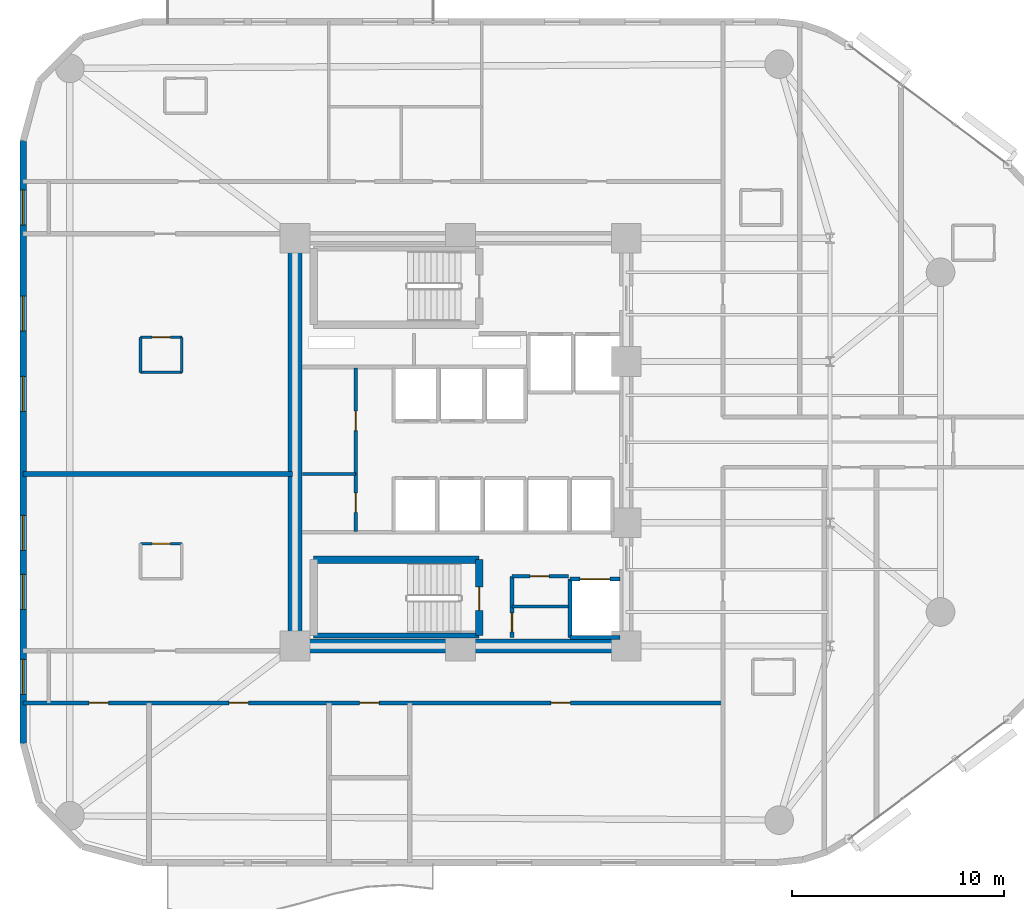
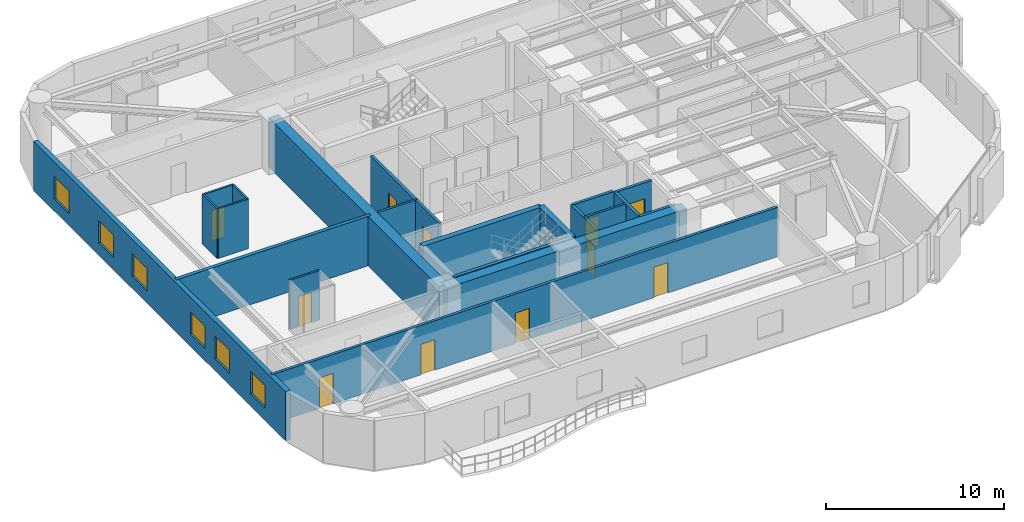
# One storey, part 8 of 14: 22 walls, 12 doors, 6 windows, 18 openings.
"""IFC4 building model written with IfcOpenShell, lengths in metres."""

from ifc_helpers import new_model, si_unit, direction, frame, frame_2d, origin, place, context, subcontext, project, spatial, rectangle, extrude, material, layer, layer_set, type_object, element, fill, save


model = new_model("IFC4")

# Units and contexts
model_context = context("Model", 3, precision=1e-05, world=origin(), true_north=direction((0.0, 1.0)))
body_context = subcontext(model_context, "Body", "Model", "MODEL_VIEW")
ifc_project = project(units=[si_unit("LENGTHUNIT", "METRE"), si_unit("AREAUNIT", "SQUARE_METRE"), si_unit("VOLUMEUNIT", "CUBIC_METRE"), si_unit("PLANEANGLEUNIT", "RADIAN"), si_unit("MASSUNIT", "GRAM", prefix="KILO")], contexts=[model_context])

# Site, building, storey
site_placement = place(None, origin())
site = spatial("IfcSite", under=ifc_project, at=site_placement, CompositionType="ELEMENT")
building_placement = place(site_placement, origin())
building = spatial("IfcBuilding", under=site, at=building_placement, Name="An Khanh Terracotta Commons", CompositionType="ELEMENT")
storey_placement = place(building_placement, frame((0.0, 0.0, 93.5)))
storey = spatial("IfcBuildingStorey", under=building, at=storey_placement, Name="L24", CompositionType="ELEMENT", Elevation=93.5)

# Walls
ifc_material_1 = material(Name="Concrete C60/75", Category="concrete")
ifc_layer_1 = layer(ifc_material_1, 0.64990234375, Name="Concrete C60/75")
ifc_layer_set_1 = layer_set([ifc_layer_1], Name="Concrete C60/75")
wall_type_1 = type_object("IfcWallType", Name="WALL-CORE-650", PredefinedType="SHEAR", material=ifc_layer_set_1)
wall_1_placement = place(storey_placement, frame((21.60009765625, 14.39990234375, 0.0), z_axis=(0.0, 0.0, 1.0), x_axis=(0.0, 1.0, 0.0)))
element("IfcWall", 1, at=wall_1_placement, inside=storey, type_object=wall_type_1, Name="L24 Core Wall CWALL-L24-W", PredefinedType="SHEAR", context=body_context, shape_type="SweptSolid", body=[
    extrude(rectangle(XDim=19.2001953125, YDim=0.64990234375, at=frame_2d((9.60009765625, 0.0))), origin(), (0.0, 0.0, 1.0), 3.39990234375),
])
wall_2_placement = place(storey_placement, frame((37.199951171875, 14.39990234375, 0.0), z_axis=(0.0, 0.0, 1.0), x_axis=(-1.0, 0.0, 0.0)))
element("IfcWall", 2, at=wall_2_placement, inside=storey, type_object=wall_type_1, Name="L24 Core Wall CWALL-L24-S", PredefinedType="SHEAR", context=body_context, shape_type="SweptSolid", body=[
    extrude(rectangle(XDim=15.599853515625, YDim=0.64990234375, at=frame_2d((7.7998046875, 0.0))), origin(), (0.0, 0.0, 1.0), 3.39990234375),
])

# Wall, opening, door
ifc_material_2 = material(Name="Fire-Rated Gypsum Board on Steel Stud", Category="steel")
ifc_layer_2 = layer(ifc_material_2, 0.179931640625, Name="Fire-Rated Gypsum Board on Steel Stud")
ifc_layer_set_2 = layer_set([ifc_layer_2], Name="Fire-Rated Gypsum Board on Steel Stud")
wall_type_2 = type_object("IfcWallType", Name="WALL-CORR-180", PredefinedType="PARTITIONING", material=ifc_layer_set_2)
wall_3_placement = place(storey_placement, frame((31.820068359375, 17.679931640625, 0.0), z_axis=(0.0, 0.0, 1.0), x_axis=(1.0, 0.0, 0.0)))
wall_3 = element("IfcWall", 3, at=wall_3_placement, inside=storey, type_object=wall_type_2, Name="L24 Core Wall SSVCW-L24-N", PredefinedType="PARTITIONING", context=body_context, shape_type="SweptSolid", body=[
    extrude(rectangle(XDim=2.659912109375, YDim=0.179931640625, at=frame_2d((1.330078125, 0.0))), origin(), (0.0, 0.0, 1.0), 3.39990234375),
])
opening_1_placement = place(wall_3_placement, frame((0.85009765625, 0.0, 0.0)))
opening_1 = element("IfcOpeningElement", 4, at=opening_1_placement, cuts=wall_3, Name="Opening D-SV", PredefinedType="OPENING", context=body_context, shape_type="SweptSolid", body=[
    extrude(rectangle(XDim=0.89990234375, YDim=2.050048828125, at=frame_2d((0.449951171875, 1.02490234375))), frame((0.0, 0.099853515625, 0.0), z_axis=(0.0, -1.0, 0.0), x_axis=(1.0, 0.0, 0.0)), (0.0, 0.0, 1.0), 0.199951171875),
])
ifc_material_3 = material(Name="Fire-Rated Powder-Coated Steel Door", Category="steel")
door_type_1 = type_object("IfcDoorType", Name="DOOR-SERV-900", OperationType="NOTDEFINED", PredefinedType="DOOR", material=ifc_material_3)
door_1_placement = place(opening_1_placement, origin())
door_1 = element("IfcDoor", 5, at=door_1_placement, inside=storey, type_object=door_type_1, Name="L24 Core Cleaner Store Door", OperationType="SINGLE_SWING_LEFT", OverallHeight=2.050048828125, OverallWidth=0.89990234375, PredefinedType="DOOR", context=body_context, shape_type="SweptSolid", body=[
    extrude(rectangle(XDim=0.89990234375, YDim=2.050048828125, at=frame_2d((0.449951171875, 1.02490234375))), frame((0.0, 0.02490234375, 0.0), z_axis=(0.0, -1.0, 0.0), x_axis=(1.0, 0.0, 0.0)), (0.0, 0.0, 1.0), 0.050048828125),
])
fill(opening_1, door_1)

wall_4_placement = place(storey_placement, frame((31.820068359375, 14.800048828125, 0.0), z_axis=(0.0, 0.0, 1.0), x_axis=(0.0, 1.0, 0.0)))
wall_4 = element("IfcWall", 6, at=wall_4_placement, inside=storey, type_object=wall_type_2, Name="L24 Core Wall SSVCW-L24-W", PredefinedType="PARTITIONING", context=body_context, shape_type="SweptSolid", body=[
    extrude(rectangle(XDim=2.8798828125, YDim=0.179931640625, at=frame_2d((1.43994140625, 0.0))), origin(), (0.0, 0.0, 1.0), 3.39990234375),
])
opening_2_placement = place(wall_4_placement, frame((0.260009765625, 0.0, 0.0)))
opening_2 = element("IfcOpeningElement", 7, at=opening_2_placement, cuts=wall_4, Name="Opening D-SV", PredefinedType="OPENING", context=body_context, shape_type="SweptSolid", body=[
    extrude(rectangle(XDim=0.89990234375, YDim=2.050048828125, at=frame_2d((0.449951171875, 1.02490234375))), frame((0.0, 0.099853515625, 0.0), z_axis=(0.0, -1.0, 0.0), x_axis=(1.0, 0.0, 0.0)), (0.0, 0.0, 1.0), 0.199951171875),
])
door_2_placement = place(opening_2_placement, origin())
door_2 = element("IfcDoor", 8, at=door_2_placement, inside=storey, type_object=door_type_1, Name="L24 Telecoms BMS Cupboard Door", OperationType="SINGLE_SWING_RIGHT", OverallHeight=2.050048828125, OverallWidth=0.89990234375, PredefinedType="DOOR", context=body_context, shape_type="SweptSolid", body=[
    extrude(rectangle(XDim=0.89990234375, YDim=2.050048828125, at=frame_2d((0.449951171875, 1.02490234375))), frame((0.0, 0.02490234375, 0.0), z_axis=(0.0, -1.0, 0.0), x_axis=(1.0, 0.0, 0.0)), (0.0, 0.0, 1.0), 0.050048828125),
])
fill(opening_2, door_2)

wall_5_placement = place(storey_placement, frame((34.550048828125, 17.550048828125, 0.0), z_axis=(0.0, 0.0, 1.0), x_axis=(1.0, 0.0, 0.0)))
wall_5 = element("IfcWall", 9, at=wall_5_placement, inside=storey, type_object=wall_type_2, Name="L24 Core Wall LSH-L24-SVL-01-N", PredefinedType="PARTITIONING", context=body_context, shape_type="SweptSolid", body=[
    extrude(rectangle(XDim=2.349853515625, YDim=0.179931640625, at=frame_2d((1.1748046875, 0.0))), origin(), (0.0, 0.0, 1.0), 3.39990234375),
])
opening_3_placement = place(wall_5_placement, frame((0.47509765625, 0.0, 0.0)))
opening_3 = element("IfcOpeningElement", 10, at=opening_3_placement, cuts=wall_5, Name="Opening LD-SVL-01-L24", PredefinedType="OPENING", context=body_context, shape_type="SweptSolid", body=[
    extrude(rectangle(XDim=1.39990234375, YDim=2.300048828125, at=frame_2d((0.699951171875, 1.14990234375))), frame((0.0, 0.099853515625, 0.0), z_axis=(0.0, -1.0, 0.0), x_axis=(1.0, 0.0, 0.0)), (0.0, 0.0, 1.0), 0.199951171875),
])
ifc_material_4 = material(Name="Heavy-Duty Stainless Steel Goods Landing Door", Category="steel")
door_type_2 = type_object("IfcDoorType", Name="DOOR-LD-SVL-1400", OperationType="NOTDEFINED", PredefinedType="DOOR", material=ifc_material_4)
door_3_placement = place(opening_3_placement, origin())
door_3 = element("IfcDoor", 11, at=door_3_placement, inside=storey, type_object=door_type_2, Name="L24 Lift SVL-01 Sliding Landing Door", OperationType="DOUBLE_DOOR_SLIDING", OverallHeight=2.300048828125, OverallWidth=1.39990234375, PredefinedType="DOOR", context=body_context, shape_type="SweptSolid", body=[
    extrude(rectangle(XDim=1.39990234375, YDim=2.300048828125, at=frame_2d((0.699951171875, 1.14990234375))), frame((0.0, 0.02490234375, 0.0), z_axis=(0.0, -1.0, 0.0), x_axis=(1.0, 0.0, 0.0)), (0.0, 0.0, 1.0), 0.050048828125),
])
fill(opening_3, door_3)

# Walls
wall_6_placement = place(storey_placement, frame((36.89990234375, 14.800048828125, 0.0), z_axis=(0.0, 0.0, 1.0), x_axis=(-1.0, 0.0, 0.0)))
element("IfcWall", 12, at=wall_6_placement, inside=storey, type_object=wall_type_2, Name="L24 Core Wall LSH-L24-SVL-01-S", PredefinedType="PARTITIONING", context=body_context, shape_type="SweptSolid", body=[
    extrude(rectangle(XDim=2.349853515625, YDim=0.179931640625, at=frame_2d((1.1748046875, 0.0))), origin(), (0.0, 0.0, 1.0), 3.39990234375),
])
wall_7_placement = place(storey_placement, frame((34.550048828125, 17.550048828125, 0.0), z_axis=(0.0, 0.0, 1.0), x_axis=(0.0, -1.0, 0.0)))
element("IfcWall", 13, at=wall_7_placement, inside=storey, type_object=wall_type_2, Name="L24 Core Wall LSH-L24-SVL-01-W", PredefinedType="PARTITIONING", context=body_context, shape_type="SweptSolid", body=[
    extrude(rectangle(XDim=2.75, YDim=0.179931640625, at=frame_2d((1.375, 0.0))), origin(), (0.0, 0.0, 1.0), 3.39990234375),
])

# Wall, opening, door
wall_8_placement = place(storey_placement, frame((24.4599609375, 22.5, 0.0), z_axis=(0.0, 0.0, 1.0), x_axis=(0.0, 1.0, 0.0)))
wall_8 = element("IfcWall", 14, at=wall_8_placement, inside=storey, type_object=wall_type_2, Name="L24 Core Wall RECW-L24-E1", PredefinedType="PARTITIONING", context=body_context, shape_type="SweptSolid", body=[
    extrude(rectangle(XDim=5.0, YDim=0.179931640625, at=frame_2d((2.5, 0.0))), origin(), (0.0, 0.0, 1.0), 3.39990234375),
])
opening_4_placement = place(wall_8_placement, frame((2.0400390625, 0.0, 0.0)))
opening_4 = element("IfcOpeningElement", 15, at=opening_4_placement, cuts=wall_8, Name="Opening D-RM", PredefinedType="OPENING", context=body_context, shape_type="SweptSolid", body=[
    extrude(rectangle(XDim=0.919921875, YDim=2.10009765625, at=frame_2d((0.4599609375, 1.050048828125))), frame((0.0, 0.099853515625, 0.0), z_axis=(0.0, -1.0, 0.0), x_axis=(1.0, 0.0, 0.0)), (0.0, 0.0, 1.0), 0.199951171875),
])
ifc_material_5 = material(Name="Engineered Hardwood Timber Leaf", Category="wood")
door_type_3 = type_object("IfcDoorType", Name="DOOR-INT-920", OperationType="NOTDEFINED", PredefinedType="DOOR", material=ifc_material_5)
door_4_placement = place(opening_4_placement, origin())
door_4 = element("IfcDoor", 16, at=door_4_placement, inside=storey, type_object=door_type_3, Name="L24 Resident Study Pod Door", OperationType="SINGLE_SWING_LEFT", OverallHeight=2.10009765625, OverallWidth=0.919921875, PredefinedType="DOOR", context=body_context, shape_type="SweptSolid", body=[
    extrude(rectangle(XDim=0.919921875, YDim=2.10009765625, at=frame_2d((0.4599609375, 1.050048828125))), frame((0.0, 0.02490234375, 0.0), z_axis=(0.0, -1.0, 0.0), x_axis=(1.0, 0.0, 0.0)), (0.0, 0.0, 1.0), 0.050048828125),
])
fill(opening_4, door_4)

wall_9_placement = place(storey_placement, frame((24.4599609375, 19.800048828125, 0.0), z_axis=(0.0, 0.0, 1.0), x_axis=(0.0, 1.0, 0.0)))
wall_9 = element("IfcWall", 17, at=wall_9_placement, inside=storey, type_object=wall_type_2, Name="L24 Core Wall RECW-L24-E2", PredefinedType="PARTITIONING", context=body_context, shape_type="SweptSolid", body=[
    extrude(rectangle(XDim=2.699951171875, YDim=0.179931640625, at=frame_2d((1.35009765625, 0.0))), origin(), (0.0, 0.0, 1.0), 3.39990234375),
])
opening_5_placement = place(wall_9_placement, frame((0.889892578125, 0.0, 0.0)))
opening_5 = element("IfcOpeningElement", 18, at=opening_5_placement, cuts=wall_9, Name="Opening D-RM", PredefinedType="OPENING", context=body_context, shape_type="SweptSolid", body=[
    extrude(rectangle(XDim=0.919921875, YDim=2.10009765625, at=frame_2d((0.4599609375, 1.050048828125))), frame((0.0, 0.099853515625, 0.0), z_axis=(0.0, -1.0, 0.0), x_axis=(1.0, 0.0, 0.0)), (0.0, 0.0, 1.0), 0.199951171875),
])
door_5_placement = place(opening_5_placement, origin())
door_5 = element("IfcDoor", 19, at=door_5_placement, inside=storey, type_object=door_type_3, Name="L24 Communal Laundry Room Door", OperationType="SINGLE_SWING_RIGHT", OverallHeight=2.10009765625, OverallWidth=0.919921875, PredefinedType="DOOR", context=body_context, shape_type="SweptSolid", body=[
    extrude(rectangle(XDim=0.919921875, YDim=2.10009765625, at=frame_2d((0.4599609375, 1.050048828125))), frame((0.0, 0.02490234375, 0.0), z_axis=(0.0, -1.0, 0.0), x_axis=(1.0, 0.0, 0.0)), (0.0, 0.0, 1.0), 0.050048828125),
])
fill(opening_5, door_5)

# Wall, openings, doors
wall_10_placement = place(storey_placement, frame((8.800048828125, 11.719970703125, 0.0), z_axis=(0.0, 0.0, 1.0), x_axis=(1.0, 0.0, 0.0)))
wall_10 = element("IfcWall", 20, at=wall_10_placement, inside=storey, type_object=wall_type_2, Name="L24 Interior Partition IW-L24-E002", PredefinedType="PARTITIONING", context=body_context, shape_type="SweptSolid", body=[
    extrude(rectangle(XDim=32.949951171875, YDim=0.179931640625, at=frame_2d((16.47509765625, 0.0))), origin(), (0.0, 0.0, 1.0), 3.39990234375),
])
opening_6_placement = place(wall_10_placement, frame((15.840087890625, 0.0, 0.0)))
opening_6 = element("IfcOpeningElement", 21, at=opening_6_placement, cuts=wall_10, Name="Opening D-RM", PredefinedType="OPENING", context=body_context, shape_type="SweptSolid", body=[
    extrude(rectangle(XDim=0.919921875, YDim=2.10009765625, at=frame_2d((0.4599609375, 1.050048828125))), frame((0.0, 0.099853515625, 0.0), z_axis=(0.0, -1.0, 0.0), x_axis=(1.0, 0.0, 0.0)), (0.0, 0.0, 1.0), 0.199951171875),
])
opening_7_placement = place(wall_10_placement, frame((3.10107421875, 0.0, 0.0)))
opening_7 = element("IfcOpeningElement", 22, at=opening_7_placement, cuts=wall_10, Name="Opening D-RM", PredefinedType="OPENING", context=body_context, shape_type="SweptSolid", body=[
    extrude(rectangle(XDim=0.919921875, YDim=2.10009765625, at=frame_2d((0.4599609375, 1.050048828125))), frame((0.0, 0.099853515625, 0.0), z_axis=(0.0, -1.0, 0.0), x_axis=(1.0, 0.0, 0.0)), (0.0, 0.0, 1.0), 0.199951171875),
])
opening_8_placement = place(wall_10_placement, frame((9.700927734375, 0.0, 0.0)))
opening_8 = element("IfcOpeningElement", 23, at=opening_8_placement, cuts=wall_10, Name="Opening D-RM", PredefinedType="OPENING", context=body_context, shape_type="SweptSolid", body=[
    extrude(rectangle(XDim=0.919921875, YDim=2.10009765625, at=frame_2d((0.4599609375, 1.050048828125))), frame((0.0, 0.099853515625, 0.0), z_axis=(0.0, -1.0, 0.0), x_axis=(1.0, 0.0, 0.0)), (0.0, 0.0, 1.0), 0.199951171875),
])
opening_9_placement = place(wall_10_placement, frame((24.85498046875, 0.0, 0.0)))
opening_9 = element("IfcOpeningElement", 24, at=opening_9_placement, cuts=wall_10, Name="Opening D-RM", PredefinedType="OPENING", context=body_context, shape_type="SweptSolid", body=[
    extrude(rectangle(XDim=0.919921875, YDim=2.10009765625, at=frame_2d((0.4599609375, 1.050048828125))), frame((0.0, 0.099853515625, 0.0), z_axis=(0.0, -1.0, 0.0), x_axis=(1.0, 0.0, 0.0)), (0.0, 0.0, 1.0), 0.199951171875),
])
door_6_placement = place(opening_6_placement, origin())
door_6 = element("IfcDoor", 25, at=door_6_placement, inside=storey, type_object=door_type_3, Name="L24 HKP Housekeeping Linen Store Door", OperationType="SINGLE_SWING_LEFT", OverallHeight=2.10009765625, OverallWidth=0.919921875, PredefinedType="DOOR", context=body_context, shape_type="SweptSolid", body=[
    extrude(rectangle(XDim=0.919921875, YDim=2.10009765625, at=frame_2d((0.4599609375, 1.050048828125))), frame((0.0, 0.02490234375, 0.0), z_axis=(0.0, -1.0, 0.0), x_axis=(1.0, 0.0, 0.0)), (0.0, 0.0, 1.0), 0.050048828125),
])
fill(opening_6, door_6)
door_7_placement = place(opening_7_placement, origin())
door_7 = element("IfcDoor", 26, at=door_7_placement, inside=storey, type_object=door_type_3, Name="L24 SW1 Academic Seminar Room Door", OperationType="SINGLE_SWING_LEFT", OverallHeight=2.10009765625, OverallWidth=0.919921875, PredefinedType="DOOR", context=body_context, shape_type="SweptSolid", body=[
    extrude(rectangle(XDim=0.919921875, YDim=2.10009765625, at=frame_2d((0.4599609375, 1.050048828125))), frame((0.0, 0.02490234375, 0.0), z_axis=(0.0, -1.0, 0.0), x_axis=(1.0, 0.0, 0.0)), (0.0, 0.0, 1.0), 0.050048828125),
])
fill(opening_7, door_7)
door_8_placement = place(opening_8_placement, origin())
door_8 = element("IfcDoor", 27, at=door_8_placement, inside=storey, type_object=door_type_3, Name="L24 SW2 Academic Seminar Room Door", OperationType="SINGLE_SWING_RIGHT", OverallHeight=2.10009765625, OverallWidth=0.919921875, PredefinedType="DOOR", context=body_context, shape_type="SweptSolid", body=[
    extrude(rectangle(XDim=0.919921875, YDim=2.10009765625, at=frame_2d((0.4599609375, 1.050048828125))), frame((0.0, 0.02490234375, 0.0), z_axis=(0.0, -1.0, 0.0), x_axis=(1.0, 0.0, 0.0)), (0.0, 0.0, 1.0), 0.050048828125),
])
fill(opening_8, door_8)
door_9_placement = place(opening_9_placement, origin())
door_9 = element("IfcDoor", 28, at=door_9_placement, inside=storey, type_object=door_type_3, Name="L24 SWE Academic Seminar Room Door", OperationType="SINGLE_SWING_LEFT", OverallHeight=2.10009765625, OverallWidth=0.919921875, PredefinedType="DOOR", context=body_context, shape_type="SweptSolid", body=[
    extrude(rectangle(XDim=0.919921875, YDim=2.10009765625, at=frame_2d((0.4599609375, 1.050048828125))), frame((0.0, 0.02490234375, 0.0), z_axis=(0.0, -1.0, 0.0), x_axis=(1.0, 0.0, 0.0)), (0.0, 0.0, 1.0), 0.050048828125),
])
fill(opening_9, door_9)

# Wall, openings, windows
ifc_material_6 = material(Name="Precast concrete C40/50", Category="concrete")
ifc_layer_3 = layer(ifc_material_6, 0.300048828125, Name="Precast concrete C40/50")
ifc_layer_set_3 = layer_set([ifc_layer_3], Name="Precast concrete C40/50")
wall_type_3 = type_object("IfcWallType", Name="WALL-EXT-300", PredefinedType="SOLIDWALL", material=ifc_layer_set_3)
wall_11_placement = place(storey_placement, frame((8.800048828125, 38.199951171875, 0.0), z_axis=(0.0, 0.0, 1.0), x_axis=(0.0, -1.0, 0.0)))
wall_11 = element("IfcWall", 29, at=wall_11_placement, inside=storey, type_object=wall_type_3, Name="L24 Insulated Terracotta Exterior Wall 24", PredefinedType="SOLIDWALL", context=body_context, shape_type="SweptSolid", body=[
    extrude(rectangle(XDim=28.39990234375, YDim=0.300048828125, at=frame_2d((14.199951171875, 0.0))), origin(), (0.0, 0.0, 1.0), 3.39990234375),
])
opening_10_placement = place(wall_11_placement, frame((2.324951171875, 0.0, 0.85009765625)))
opening_10 = element("IfcOpeningElement", 30, at=opening_10_placement, cuts=wall_11, Name="Opening W-02", PredefinedType="OPENING", context=body_context, shape_type="SweptSolid", body=[
    extrude(rectangle(XDim=1.64990234375, YDim=1.550048828125, at=frame_2d((0.824951171875, 0.77490234375))), frame((0.0, 0.159912109375, 0.0), z_axis=(0.0, -1.0, 0.0), x_axis=(1.0, 0.0, 0.0)), (0.0, 0.0, 1.0), 0.320068359375),
])
opening_11_placement = place(wall_11_placement, frame((7.327880859375, 0.0, 0.85009765625)))
opening_11 = element("IfcOpeningElement", 31, at=opening_11_placement, cuts=wall_11, Name="Opening W-02", PredefinedType="OPENING", context=body_context, shape_type="SweptSolid", body=[
    extrude(rectangle(XDim=1.64990234375, YDim=1.550048828125, at=frame_2d((0.824951171875, 0.77490234375))), frame((0.0, 0.159912109375, 0.0), z_axis=(0.0, -1.0, 0.0), x_axis=(1.0, 0.0, 0.0)), (0.0, 0.0, 1.0), 0.320068359375),
])
opening_12_placement = place(wall_11_placement, frame((11.10205078125, 0.0, 0.85009765625)))
opening_12 = element("IfcOpeningElement", 32, at=opening_12_placement, cuts=wall_11, Name="Opening W-02", PredefinedType="OPENING", context=body_context, shape_type="SweptSolid", body=[
    extrude(rectangle(XDim=1.64990234375, YDim=1.550048828125, at=frame_2d((0.824951171875, 0.77490234375))), frame((0.0, 0.159912109375, 0.0), z_axis=(0.0, -1.0, 0.0), x_axis=(1.0, 0.0, 0.0)), (0.0, 0.0, 1.0), 0.320068359375),
])
opening_13_placement = place(wall_11_placement, frame((17.64794921875, 0.0, 0.85009765625)))
opening_13 = element("IfcOpeningElement", 33, at=opening_13_placement, cuts=wall_11, Name="Opening W-02", PredefinedType="OPENING", context=body_context, shape_type="SweptSolid", body=[
    extrude(rectangle(XDim=1.64990234375, YDim=1.550048828125, at=frame_2d((0.824951171875, 0.77490234375))), frame((0.0, 0.159912109375, 0.0), z_axis=(0.0, -1.0, 0.0), x_axis=(1.0, 0.0, 0.0)), (0.0, 0.0, 1.0), 0.320068359375),
])
opening_14_placement = place(wall_11_placement, frame((20.422119140625, 0.0, 0.85009765625)))
opening_14 = element("IfcOpeningElement", 34, at=opening_14_placement, cuts=wall_11, Name="Opening W-02", PredefinedType="OPENING", context=body_context, shape_type="SweptSolid", body=[
    extrude(rectangle(XDim=1.64990234375, YDim=1.550048828125, at=frame_2d((0.824951171875, 0.77490234375))), frame((0.0, 0.159912109375, 0.0), z_axis=(0.0, -1.0, 0.0), x_axis=(1.0, 0.0, 0.0)), (0.0, 0.0, 1.0), 0.320068359375),
])
opening_15_placement = place(wall_11_placement, frame((24.425048828125, 0.0, 0.85009765625)))
opening_15 = element("IfcOpeningElement", 35, at=opening_15_placement, cuts=wall_11, Name="Opening W-02", PredefinedType="OPENING", context=body_context, shape_type="SweptSolid", body=[
    extrude(rectangle(XDim=1.64990234375, YDim=1.550048828125, at=frame_2d((0.824951171875, 0.77490234375))), frame((0.0, 0.159912109375, 0.0), z_axis=(0.0, -1.0, 0.0), x_axis=(1.0, 0.0, 0.0)), (0.0, 0.0, 1.0), 0.320068359375),
])
ifc_material_7 = material(Name="Thermally Broken Aluminium and Low-E Glass", Category="aluminium")
window_type = type_object("IfcWindowType", Name="WIN-Z2-1650x1550", PartitioningType="DOUBLE_PANEL_VERTICAL", PredefinedType="WINDOW", material=ifc_material_7)
window_1_placement = place(opening_10_placement, origin())
window_1 = element("IfcWindow", 36, at=window_1_placement, inside=storey, type_object=window_type, Name="L24 Operable Casement Window 24.1", OverallHeight=1.550048828125, OverallWidth=1.64990234375, PartitioningType="DOUBLE_PANEL_VERTICAL", PredefinedType="WINDOW", context=body_context, shape_type="SweptSolid", body=[
    extrude(rectangle(XDim=1.64990234375, YDim=1.550048828125, at=frame_2d((0.824951171875, 0.77490234375))), frame((0.0, 0.030029296875, 0.0), z_axis=(0.0, -1.0, 0.0), x_axis=(1.0, 0.0, 0.0)), (0.0, 0.0, 1.0), 0.06005859375),
])
fill(opening_10, window_1)
window_2_placement = place(opening_11_placement, origin())
window_2 = element("IfcWindow", 37, at=window_2_placement, inside=storey, type_object=window_type, Name="L24 Operable Casement Window 24.2", OverallHeight=1.550048828125, OverallWidth=1.64990234375, PartitioningType="DOUBLE_PANEL_VERTICAL", PredefinedType="WINDOW", context=body_context, shape_type="SweptSolid", body=[
    extrude(rectangle(XDim=1.64990234375, YDim=1.550048828125, at=frame_2d((0.824951171875, 0.77490234375))), frame((0.0, 0.030029296875, 0.0), z_axis=(0.0, -1.0, 0.0), x_axis=(1.0, 0.0, 0.0)), (0.0, 0.0, 1.0), 0.06005859375),
])
fill(opening_11, window_2)
window_3_placement = place(opening_12_placement, origin())
window_3 = element("IfcWindow", 38, at=window_3_placement, inside=storey, type_object=window_type, Name="L24 Operable Casement Window 24.3", OverallHeight=1.550048828125, OverallWidth=1.64990234375, PartitioningType="DOUBLE_PANEL_VERTICAL", PredefinedType="WINDOW", context=body_context, shape_type="SweptSolid", body=[
    extrude(rectangle(XDim=1.64990234375, YDim=1.550048828125, at=frame_2d((0.824951171875, 0.77490234375))), frame((0.0, 0.030029296875, 0.0), z_axis=(0.0, -1.0, 0.0), x_axis=(1.0, 0.0, 0.0)), (0.0, 0.0, 1.0), 0.06005859375),
])
fill(opening_12, window_3)
window_4_placement = place(opening_13_placement, origin())
window_4 = element("IfcWindow", 39, at=window_4_placement, inside=storey, type_object=window_type, Name="L24 Operable Casement Window 24.4", OverallHeight=1.550048828125, OverallWidth=1.64990234375, PartitioningType="DOUBLE_PANEL_VERTICAL", PredefinedType="WINDOW", context=body_context, shape_type="SweptSolid", body=[
    extrude(rectangle(XDim=1.64990234375, YDim=1.550048828125, at=frame_2d((0.824951171875, 0.77490234375))), frame((0.0, 0.030029296875, 0.0), z_axis=(0.0, -1.0, 0.0), x_axis=(1.0, 0.0, 0.0)), (0.0, 0.0, 1.0), 0.06005859375),
])
fill(opening_13, window_4)
window_5_placement = place(opening_14_placement, origin())
window_5 = element("IfcWindow", 40, at=window_5_placement, inside=storey, type_object=window_type, Name="L24 Operable Casement Window 24.5", OverallHeight=1.550048828125, OverallWidth=1.64990234375, PartitioningType="DOUBLE_PANEL_VERTICAL", PredefinedType="WINDOW", context=body_context, shape_type="SweptSolid", body=[
    extrude(rectangle(XDim=1.64990234375, YDim=1.550048828125, at=frame_2d((0.824951171875, 0.77490234375))), frame((0.0, 0.030029296875, 0.0), z_axis=(0.0, -1.0, 0.0), x_axis=(1.0, 0.0, 0.0)), (0.0, 0.0, 1.0), 0.06005859375),
])
fill(opening_14, window_5)
window_6_placement = place(opening_15_placement, origin())
window_6 = element("IfcWindow", 41, at=window_6_placement, inside=storey, type_object=window_type, Name="L24 Operable Casement Window 24.6", OverallHeight=1.550048828125, OverallWidth=1.64990234375, PartitioningType="DOUBLE_PANEL_VERTICAL", PredefinedType="WINDOW", context=body_context, shape_type="SweptSolid", body=[
    extrude(rectangle(XDim=1.64990234375, YDim=1.550048828125, at=frame_2d((0.824951171875, 0.77490234375))), frame((0.0, 0.030029296875, 0.0), z_axis=(0.0, -1.0, 0.0), x_axis=(1.0, 0.0, 0.0)), (0.0, 0.0, 1.0), 0.06005859375),
])
fill(opening_15, window_6)

# Walls
ifc_material_8 = material(Name="Acoustic Gypsum Board Partition")
ifc_layer_4 = layer(ifc_material_8, 0.14990234375, Name="Acoustic Gypsum Board Partition")
ifc_layer_set_4 = layer_set([ifc_layer_4], Name="Acoustic Gypsum Board Partition")
wall_type_4 = type_object("IfcWallType", Name="WALL-PART-150", PredefinedType="PARTITIONING", material=ifc_layer_set_4)
wall_12_placement = place(storey_placement, frame((31.820068359375, 16.260009765625, 0.0), z_axis=(0.0, 0.0, 1.0), x_axis=(1.0, 0.0, 0.0)))
element("IfcWall", 42, at=wall_12_placement, inside=storey, type_object=wall_type_4, Name="L24 Core Wall SSVCW-L24-M", PredefinedType="PARTITIONING", context=body_context, shape_type="SweptSolid", body=[
    extrude(rectangle(XDim=2.659912109375, YDim=0.14990234375, at=frame_2d((1.330078125, 0.0))), origin(), (0.0, 0.0, 1.0), 3.39990234375),
])
wall_13_placement = place(storey_placement, frame((21.949951171875, 22.5, 0.0), z_axis=(0.0, 0.0, 1.0), x_axis=(1.0, 0.0, 0.0)))
element("IfcWall", 43, at=wall_13_placement, inside=storey, type_object=wall_type_4, Name="L24 Core Wall RECW-L24-M", PredefinedType="PARTITIONING", context=body_context, shape_type="SweptSolid", body=[
    extrude(rectangle(XDim=2.510009765625, YDim=0.14990234375, at=frame_2d((1.2548828125, 0.0))), origin(), (0.0, 0.0, 1.0), 3.39990234375),
])
ifc_material_9 = material(Name="Acoustic Double-Stud Gypsum and Mineral Wool")
ifc_layer_5 = layer(ifc_material_9, 0.219970703125, Name="Acoustic Double-Stud Gypsum and Mineral Wool")
ifc_layer_set_5 = layer_set([ifc_layer_5], Name="Acoustic Double-Stud Gypsum and Mineral Wool")
wall_type_5 = type_object("IfcWallType", Name="WALL-PARTY-220", PredefinedType="PARTITIONING", material=ifc_layer_set_5)
wall_14_placement = place(storey_placement, frame((22.47998046875, 14.889892578125, 0.0), z_axis=(0.0, 0.0, 1.0), x_axis=(1.0, 0.0, 0.0)))
element("IfcWall", 44, at=wall_14_placement, inside=storey, type_object=wall_type_5, Name="L24 Core Wall STW-L24-S-S", PredefinedType="PARTITIONING", context=body_context, shape_type="SweptSolid", body=[
    extrude(rectangle(XDim=7.7900390625, YDim=0.219970703125, at=frame_2d((3.89501953125, 0.0))), origin(), (0.0, 0.0, 1.0), 3.39990234375),
])
wall_15_placement = place(storey_placement, frame((8.800048828125, 22.5, 0.0), z_axis=(0.0, 0.0, 1.0), x_axis=(1.0, 0.0, 0.0)))
element("IfcWall", 45, at=wall_15_placement, inside=storey, type_object=wall_type_5, Name="L24 Interior Partition IW-L24-E004", PredefinedType="PARTITIONING", context=body_context, shape_type="SweptSolid", body=[
    extrude(rectangle(XDim=12.679931640625, YDim=0.219970703125, at=frame_2d((6.33984375, 0.0))), origin(), (0.0, 0.0, 1.0), 3.39990234375),
])
ifc_material_10 = material(Name="Concrete C50/60", Category="concrete")
ifc_layer_6 = layer(ifc_material_10, 0.35009765625, Name="Concrete C50/60")
ifc_layer_set_6 = layer_set([ifc_layer_6], Name="Concrete C50/60")
wall_type_6 = type_object("IfcWallType", Name="WALL-SHAFT-350", PredefinedType="SOLIDWALL", material=ifc_layer_set_6)
wall_16_placement = place(storey_placement, frame((22.47998046875, 18.469970703125, 0.0), z_axis=(0.0, 0.0, 1.0), x_axis=(1.0, 0.0, 0.0)))
element("IfcWall", 46, at=wall_16_placement, inside=storey, type_object=wall_type_6, Name="L24 Core Wall STW-L24-S-N", PredefinedType="SOLIDWALL", context=body_context, shape_type="SweptSolid", body=[
    extrude(rectangle(XDim=7.7900390625, YDim=0.35009765625, at=frame_2d((3.89501953125, 0.0))), origin(), (0.0, 0.0, 1.0), 3.39990234375),
])

# Wall, opening, door
wall_17_placement = place(storey_placement, frame((30.27001953125, 14.889892578125, 0.0), z_axis=(0.0, 0.0, 1.0), x_axis=(0.0, 1.0, 0.0)))
wall_17 = element("IfcWall", 47, at=wall_17_placement, inside=storey, type_object=wall_type_6, Name="L24 Core Wall STW-L24-S-E", PredefinedType="SOLIDWALL", context=body_context, shape_type="SweptSolid", body=[
    extrude(rectangle(XDim=3.580078125, YDim=0.35009765625, at=frame_2d((1.7900390625, 0.0))), origin(), (0.0, 0.0, 1.0), 3.39990234375),
])
opening_16_placement = place(wall_17_placement, frame((1.18994140625, 0.0, 0.0)))
opening_16 = element("IfcOpeningElement", 48, at=opening_16_placement, cuts=wall_17, Name="Opening D-ST", PredefinedType="OPENING", context=body_context, shape_type="SweptSolid", body=[
    extrude(rectangle(XDim=1.10009765625, YDim=2.14990234375, at=frame_2d((0.550048828125, 1.074951171875))), frame((0.0, 0.18505859375, 0.0), z_axis=(0.0, -1.0, 0.0), x_axis=(1.0, 0.0, 0.0)), (0.0, 0.0, 1.0), 0.3701171875),
])
ifc_material_11 = material(Name="Fire-Rated Steel Leaf and Frame", Category="steel")
door_type_4 = type_object("IfcDoorType", Name="DOOR-STAIR-1100", OperationType="NOTDEFINED", PredefinedType="DOOR", material=ifc_material_11)
door_10_placement = place(opening_16_placement, origin())
door_10 = element("IfcDoor", 49, at=door_10_placement, inside=storey, type_object=door_type_4, Name="L24 Stair ST-02 Fire Door", OperationType="SINGLE_SWING_RIGHT", OverallHeight=2.14990234375, OverallWidth=1.10009765625, PredefinedType="DOOR", context=body_context, shape_type="SweptSolid", body=[
    extrude(rectangle(XDim=1.10009765625, YDim=2.14990234375, at=frame_2d((0.550048828125, 1.074951171875))), frame((0.0, 0.02490234375, 0.0), z_axis=(0.0, -1.0, 0.0), x_axis=(1.0, 0.0, 0.0)), (0.0, 0.0, 1.0), 0.050048828125),
])
fill(opening_16, door_10)

ifc_material_12 = material(Name="Moisture-Resistant Cement Board Partition")
ifc_layer_7 = layer(ifc_material_12, 0.1201171875, Name="Moisture-Resistant Cement Board Partition")
ifc_layer_set_7 = layer_set([ifc_layer_7], Name="Moisture-Resistant Cement Board Partition")
wall_type_7 = type_object("IfcWallType", Name="WALL-WET-120", PredefinedType="PARTITIONING", material=ifc_layer_set_7)
wall_18_placement = place(storey_placement, frame((14.324951171875, 19.215087890625, 0.0), z_axis=(0.0, 0.0, 1.0), x_axis=(1.0, 0.0, 0.0)))
wall_18 = element("IfcWall", 50, at=wall_18_placement, inside=storey, type_object=wall_type_7, Name="L24 Interior Partition IW-L24-WW1-BN", PredefinedType="PARTITIONING", context=body_context, shape_type="SweptSolid", body=[
    extrude(rectangle(XDim=1.949951171875, YDim=0.1201171875, at=frame_2d((0.97509765625, 0.0))), origin(), (0.0, 0.0, 1.0), 3.39990234375),
])
opening_17_placement = place(wall_18_placement, frame((0.544921875, 0.0, 0.0)))
opening_17 = element("IfcOpeningElement", 51, at=opening_17_placement, cuts=wall_18, Name="Opening D-ENS", PredefinedType="OPENING", context=body_context, shape_type="SweptSolid", body=[
    extrude(rectangle(XDim=0.860107421875, YDim=2.10009765625, at=frame_2d((0.43017578125, 1.050048828125))), frame((0.0, 0.070068359375, 0.0), z_axis=(0.0, -1.0, 0.0), x_axis=(1.0, 0.0, 0.0)), (0.0, 0.0, 1.0), 0.14013671875),
])
ifc_material_13 = material(Name="Moisture-Resistant Hardwood Timber Leaf", Category="wood")
door_type_5 = type_object("IfcDoorType", Name="DOOR-BATH-860", OperationType="NOTDEFINED", PredefinedType="DOOR", material=ifc_material_13)
door_11_placement = place(opening_17_placement, origin())
door_11 = element("IfcDoor", 52, at=door_11_placement, inside=storey, type_object=door_type_5, Name="L24 Studio WW1 En-suite Door", OperationType="SINGLE_SWING_LEFT", OverallHeight=2.10009765625, OverallWidth=0.860107421875, PredefinedType="DOOR", context=body_context, shape_type="SweptSolid", body=[
    extrude(rectangle(XDim=0.860107421875, YDim=2.10009765625, at=frame_2d((0.43017578125, 1.050048828125))), frame((0.0, 0.02490234375, 0.0), z_axis=(0.0, -1.0, 0.0), x_axis=(1.0, 0.0, 0.0)), (0.0, 0.0, 1.0), 0.050048828125),
])
fill(opening_17, door_11)

wall_19_placement = place(storey_placement, frame((14.324951171875, 28.93505859375, 0.0), z_axis=(0.0, 0.0, 1.0), x_axis=(1.0, 0.0, 0.0)))
wall_19 = element("IfcWall", 53, at=wall_19_placement, inside=storey, type_object=wall_type_7, Name="L24 Interior Partition IW-L24-WW2-BN", PredefinedType="PARTITIONING", context=body_context, shape_type="SweptSolid", body=[
    extrude(rectangle(XDim=1.949951171875, YDim=0.1201171875, at=frame_2d((0.97509765625, 0.0))), origin(), (0.0, 0.0, 1.0), 3.39990234375),
])
opening_18_placement = place(wall_19_placement, frame((0.544921875, 0.0, 0.0)))
opening_18 = element("IfcOpeningElement", 54, at=opening_18_placement, cuts=wall_19, Name="Opening D-ENS", PredefinedType="OPENING", context=body_context, shape_type="SweptSolid", body=[
    extrude(rectangle(XDim=0.860107421875, YDim=2.10009765625, at=frame_2d((0.43017578125, 1.050048828125))), frame((0.0, 0.070068359375, 0.0), z_axis=(0.0, -1.0, 0.0), x_axis=(1.0, 0.0, 0.0)), (0.0, 0.0, 1.0), 0.14013671875),
])
door_12_placement = place(opening_18_placement, origin())
door_12 = element("IfcDoor", 55, at=door_12_placement, inside=storey, type_object=door_type_5, Name="L24 Studio WW2 En-suite Door", OperationType="SINGLE_SWING_RIGHT", OverallHeight=2.10009765625, OverallWidth=0.860107421875, PredefinedType="DOOR", context=body_context, shape_type="SweptSolid", body=[
    extrude(rectangle(XDim=0.860107421875, YDim=2.10009765625, at=frame_2d((0.43017578125, 1.050048828125))), frame((0.0, 0.02490234375, 0.0), z_axis=(0.0, -1.0, 0.0), x_axis=(1.0, 0.0, 0.0)), (0.0, 0.0, 1.0), 0.050048828125),
])
fill(opening_18, door_12)

# Walls
wall_20_placement = place(storey_placement, frame((16.27490234375, 27.284912109375, 0.0), z_axis=(0.0, 0.0, 1.0), x_axis=(-1.0, 0.0, 0.0)))
element("IfcWall", 56, at=wall_20_placement, inside=storey, type_object=wall_type_7, Name="L24 Interior Partition IW-L24-WW2-BS", PredefinedType="PARTITIONING", context=body_context, shape_type="SweptSolid", body=[
    extrude(rectangle(XDim=1.949951171875, YDim=0.1201171875, at=frame_2d((0.97509765625, 0.0))), origin(), (0.0, 0.0, 1.0), 3.39990234375),
])
for number, where, z_axis, x_axis, name in (
    (57, (14.324951171875, 28.93505859375, 0.0), (0.0, 0.0, 1.0), (0.0, -1.0, 0.0), "L24 Interior Partition IW-L24-WW2-BW"),
    (58, (16.27490234375, 27.284912109375, 0.0), (0.0, 0.0, 1.0), (0.0, 1.0, 0.0), "L24 Interior Partition IW-L24-WW2-BE"),
):
    element("IfcWall", number, at=place(storey_placement, frame(where, z_axis=z_axis, x_axis=x_axis)), inside=storey, type_object=wall_type_7, Name=name, PredefinedType="PARTITIONING", context=body_context, shape_type="SweptSolid", body=[
        extrude(rectangle(XDim=1.650146484375, YDim=0.1201171875, at=frame_2d((0.8251953125, 0.0))), origin(), (0.0, 0.0, 1.0), 3.39990234375),
    ])

save(model, "model.ifc")
